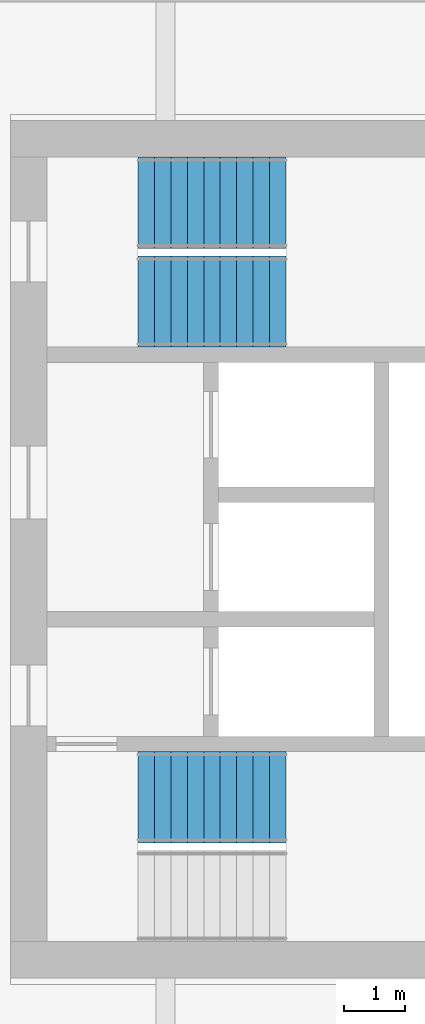
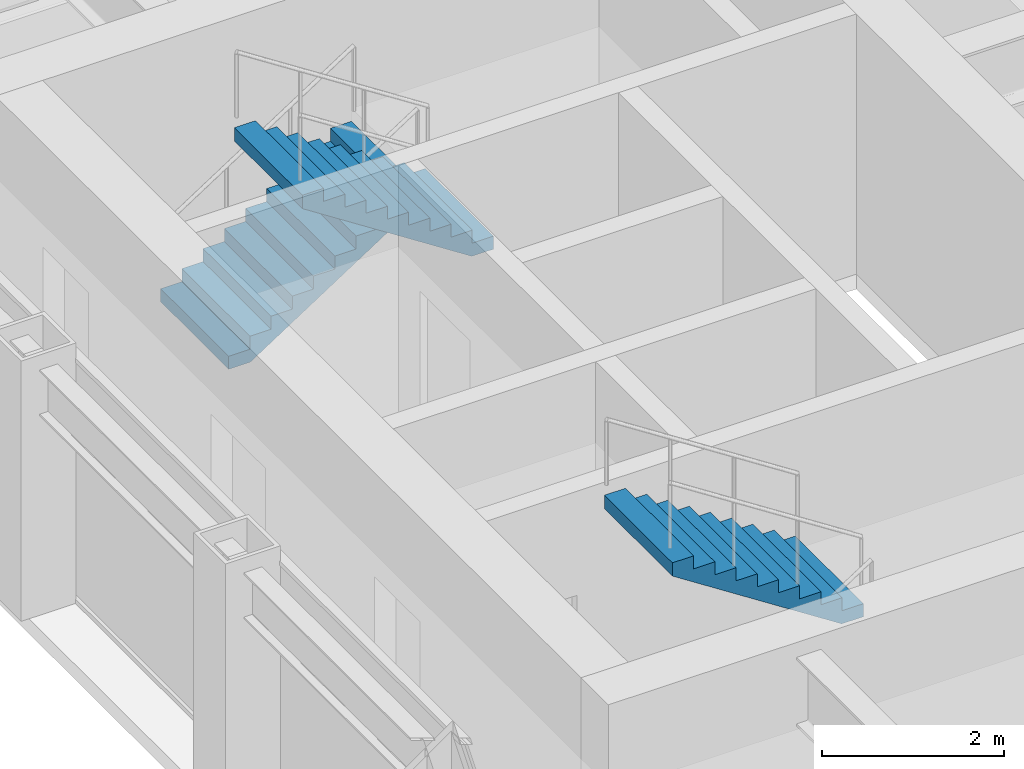
# One storey, part 16 of 21: 3 stair flights, 2 elements without a shape of their own.
"""IFC4 building model written with IfcOpenShell, lengths in metres."""

from ifc_helpers import new_model, si_unit, direction, frame, origin, place, context, subcontext, project, spatial, polyline, outline, extrude, material, type_object, element, aggregate, save


model = new_model("IFC4")

# Units and contexts
model_context = context("Model", 3, precision=1e-05, world=origin(), true_north=direction((0.0, 1.0)))
body_context = subcontext(model_context, "Body", "Model", "MODEL_VIEW")
ifc_project = project(units=[si_unit("LENGTHUNIT", "METRE"), si_unit("AREAUNIT", "SQUARE_METRE"), si_unit("VOLUMEUNIT", "CUBIC_METRE"), si_unit("PLANEANGLEUNIT", "RADIAN"), si_unit("MASSUNIT", "GRAM", prefix="KILO")], contexts=[model_context])

# Site, building, storey
site_placement = place(None, origin())
site = spatial("IfcSite", under=ifc_project, at=site_placement, CompositionType="ELEMENT")
building_placement = place(site_placement, origin())
building = spatial("IfcBuilding", under=site, at=building_placement, Name="Msasa Ring Tower", CompositionType="ELEMENT")
storey_placement = place(building_placement, frame((0.0, 0.0, 93.0)))
storey = spatial("IfcBuildingStorey", under=building, at=storey_placement, Name="L24", CompositionType="ELEMENT", Elevation=93.0)

# Stair, stair flight
ifc_material_1 = material(Name="Concrete C40/50", Category="concrete")
stair_type = type_object("IfcStairType", Name="STC CORE STAIR 20 RISERS 175", PredefinedType="HALF_TURN_STAIR", material=ifc_material_1)
stair_1_placement = place(storey_placement, origin())
stair_1 = element("IfcStair", 1, at=stair_1_placement, inside=storey, type_object=stair_type, Name="Core stair SEA L24", PredefinedType="HALF_TURN_STAIR")
ifc_material_2 = material(Name="Concrete C40/50", Category="concrete")
stair_flight_type = type_object("IfcStairFlightType", Name="ST12 CORE STAIR FLIGHT 1500 10 RISERS 175", PredefinedType="STRAIGHT", material=ifc_material_2)
stair_flight_1_placement = place(storey_placement, frame((13.22998046875, -4.074951171875, 1.75), z_axis=(0.0, 0.0, 1.0), x_axis=(-1.0, 0.0, 0.0)))
stair_flight_1 = element("IfcStairFlight", 2, at=stair_flight_1_placement, type_object=stair_flight_type, Name="SEA flight 2", NumberOfRisers=10, NumberOfTreads=9, PredefinedType="STRAIGHT", RiserHeight=0.175, TreadLength=0.27, context=body_context, shape_type="SweptSolid", body=[
    extrude(outline(polyline([(0.0, 0.0), (0.0, 0.175048828125), (0.27001953125, 0.175048828125), (0.27001953125, 0.35009765625), (0.5400390625, 0.35009765625), (0.5400390625, 0.52490234375), (0.81005859375, 0.52490234375), (0.81005859375, 0.699951171875), (1.080078125, 0.699951171875), (1.080078125, 0.875), (1.35009765625, 0.875), (1.35009765625, 1.050048828125), (1.6201171875, 1.050048828125), (1.6201171875, 1.22509765625), (1.889892578125, 1.22509765625), (1.889892578125, 1.39990234375), (2.159912109375, 1.39990234375), (2.159912109375, 1.574951171875), (2.429931640625, 1.574951171875), (2.429931640625, 1.75), (2.429931640625, 1.396484375), (0.275634765625, 0.0), (0.0, 0.0)])), frame((0.0, 0.75, 0.0), z_axis=(0.0, -1.0, 0.0), x_axis=(1.0, 0.0, 0.0)), (0.0, 0.0, 1.0), 1.5),
])
aggregate(stair_1, [stair_flight_1])

# Stair, stair flights
stair_2_placement = place(storey_placement, origin())
stair_2 = element("IfcStair", 3, at=stair_2_placement, inside=storey, type_object=stair_type, Name="Core stair SEB L24", PredefinedType="HALF_TURN_STAIR")
stair_flight_2_placement = place(storey_placement, frame((10.800048828125, 5.699951171875, 0.0), z_axis=(0.0, 0.0, 1.0), x_axis=(1.0, 0.0, 0.0)))
stair_flight_2 = element("IfcStairFlight", 4, at=stair_flight_2_placement, type_object=stair_flight_type, Name="SEB flight 1", NumberOfRisers=10, NumberOfTreads=9, PredefinedType="STRAIGHT", RiserHeight=0.175, TreadLength=0.27, context=body_context, shape_type="SweptSolid", body=[
    extrude(outline(polyline([(0.0, 0.0), (0.0, 0.175048828125), (0.27001953125, 0.175048828125), (0.27001953125, 0.35009765625), (0.5400390625, 0.35009765625), (0.5400390625, 0.52490234375), (0.81005859375, 0.52490234375), (0.81005859375, 0.699951171875), (1.080078125, 0.699951171875), (1.080078125, 0.875), (1.35009765625, 0.875), (1.35009765625, 1.050048828125), (1.6201171875, 1.050048828125), (1.6201171875, 1.22509765625), (1.889892578125, 1.22509765625), (1.889892578125, 1.39990234375), (2.159912109375, 1.39990234375), (2.159912109375, 1.574951171875), (2.429931640625, 1.574951171875), (2.429931640625, 1.75), (2.429931640625, 1.396484375), (0.275634765625, 0.0), (0.0, 0.0)])), frame((0.0, 0.75, 0.0), z_axis=(0.0, -1.0, 0.0), x_axis=(1.0, 0.0, 0.0)), (0.0, 0.0, 1.0), 1.5),
])
stair_flight_3_placement = place(storey_placement, frame((13.22998046875, 4.074951171875, 1.75), z_axis=(0.0, 0.0, 1.0), x_axis=(-1.0, 0.0, 0.0)))
stair_flight_3 = element("IfcStairFlight", 5, at=stair_flight_3_placement, type_object=stair_flight_type, Name="SEB flight 2", NumberOfRisers=10, NumberOfTreads=9, PredefinedType="STRAIGHT", RiserHeight=0.175, TreadLength=0.27, context=body_context, shape_type="SweptSolid", body=[
    extrude(outline(polyline([(0.0, 0.0), (0.0, 0.175048828125), (0.27001953125, 0.175048828125), (0.27001953125, 0.35009765625), (0.5400390625, 0.35009765625), (0.5400390625, 0.52490234375), (0.81005859375, 0.52490234375), (0.81005859375, 0.699951171875), (1.080078125, 0.699951171875), (1.080078125, 0.875), (1.35009765625, 0.875), (1.35009765625, 1.050048828125), (1.6201171875, 1.050048828125), (1.6201171875, 1.22509765625), (1.889892578125, 1.22509765625), (1.889892578125, 1.39990234375), (2.159912109375, 1.39990234375), (2.159912109375, 1.574951171875), (2.429931640625, 1.574951171875), (2.429931640625, 1.75), (2.429931640625, 1.396484375), (0.275634765625, 0.0), (0.0, 0.0)])), frame((0.0, 0.75, 0.0), z_axis=(0.0, -1.0, 0.0), x_axis=(1.0, 0.0, 0.0)), (0.0, 0.0, 1.0), 1.5),
])
aggregate(stair_2, [stair_flight_2, stair_flight_3])

save(model, "model.ifc")
